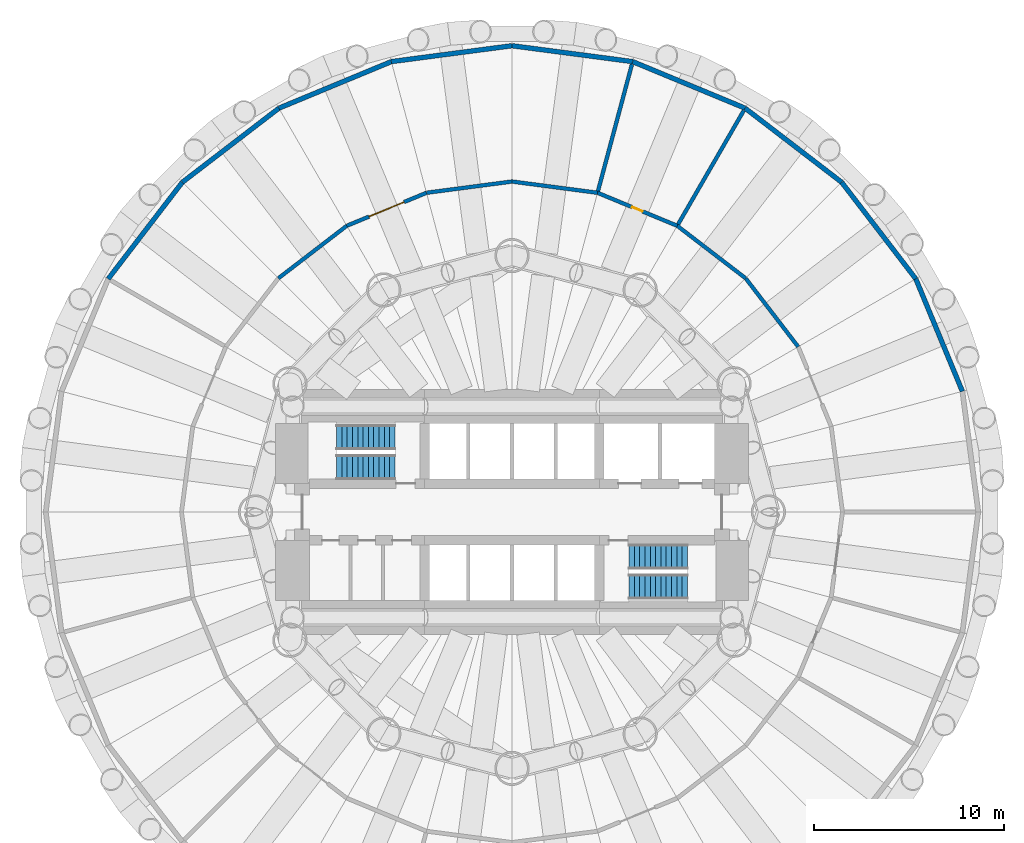
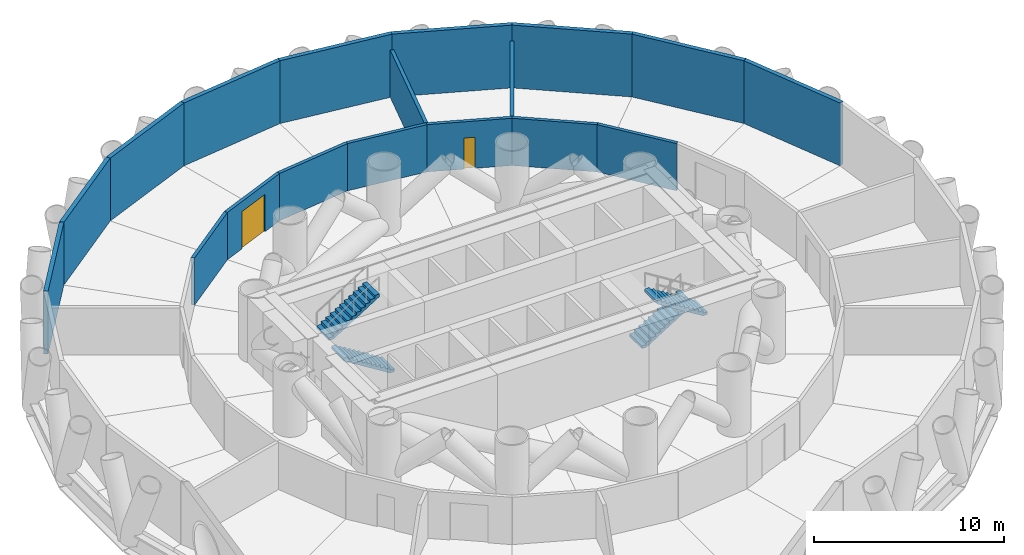
# One storey, part 6 of 7: 18 walls, 4 stair flights, 2 doors, 2 openings, 2 elements without a shape of their own.
"""IFC4 building model written with IfcOpenShell, lengths in metres."""

from ifc_helpers import new_model, si_unit, direction, frame, frame_2d, origin, place, context, subcontext, project, spatial, polyline, rectangle, outline, extrude, material, layer, layer_set, type_object, element, fill, aggregate, save


model = new_model("IFC4")

# Units and contexts
model_context = context("Model", 3, precision=1e-05, world=origin(), true_north=direction((0.0, 1.0)))
body_context = subcontext(model_context, "Body", "Model", "MODEL_VIEW")
ifc_project = project(units=[si_unit("LENGTHUNIT", "METRE"), si_unit("AREAUNIT", "SQUARE_METRE"), si_unit("VOLUMEUNIT", "CUBIC_METRE"), si_unit("PLANEANGLEUNIT", "RADIAN"), si_unit("MASSUNIT", "GRAM", prefix="KILO")], contexts=[model_context])

# Site, building, storey
site_placement = place(None, origin())
site = spatial("IfcSite", under=ifc_project, at=site_placement, CompositionType="ELEMENT")
building_placement = place(site_placement, origin())
building = spatial("IfcBuilding", under=site, at=building_placement, Name="Qaws Media Tower", CompositionType="ELEMENT")
storey_placement = place(building_placement, frame((0.0, 0.0, 101.60009765625)))
storey = spatial("IfcBuildingStorey", under=building, at=storey_placement, Name="L22", CompositionType="ELEMENT", Elevation=101.60009765625)

# Walls
ifc_material_1 = material(Name="Precast concrete louvre panels", Category="concrete")
ifc_layer_1 = layer(ifc_material_1, 0.25)
ifc_layer_set_1 = layer_set([ifc_layer_1], Name="Crown louvre wall 250")
wall_type_1 = type_object("IfcWallType", Name="Crown louvre wall 250", PredefinedType="SOLIDWALL", material=ifc_layer_set_1)
wall_1_placement = place(storey_placement, frame((83.71337890625, 56.35400390625, 0.0), z_axis=(0.0, 0.0, 1.0), x_axis=(-0.382666936286, 0.923886365238, 0.0)))
element("IfcWall", 1, at=wall_1_placement, inside=storey, type_object=wall_type_1, Name="W464 EW3 louvre wall L22-02", PredefinedType="SOLIDWALL", context=body_context, shape_type="SweptSolid", body=[
    extrude(rectangle(XDim=6.40869140625, YDim=0.25, at=frame_2d((3.204345703125, 0.0))), origin(), (0.0, 0.0, 1.0), 4.039794921875),
])
for number, where, z_axis, x_axis, name in (
    (2, (81.260986328125, 62.27490234375, 0.0), (0.0, 0.0, 1.0), (-0.608776969285, 0.793341415576, 0.0), "W462 EW3 louvre wall L22-03"),
    (3, (77.359375, 67.359375, 0.0), (0.0, 0.0, 1.0), (-0.793341415576, 0.608776969285, 0.0), "W460 EW3 louvre wall L22-04"),
):
    element("IfcWall", number, at=place(storey_placement, frame(where, z_axis=z_axis, x_axis=x_axis)), inside=storey, type_object=wall_type_1, Name=name, PredefinedType="SOLIDWALL", context=body_context, shape_type="SweptSolid", body=[
        extrude(rectangle(XDim=6.408935546875, YDim=0.25, at=frame_2d((3.20458984375, 0.0))), origin(), (0.0, 0.0, 1.0), 4.039794921875),
    ])
wall_2_placement = place(storey_placement, frame((72.27490234375, 71.260986328125, 0.0), z_axis=(0.0, 0.0, 1.0), x_axis=(-0.923886365238, 0.382666936286, 0.0)))
element("IfcWall", 4, at=wall_2_placement, inside=storey, type_object=wall_type_1, Name="W458 EW3 louvre wall L22-05", PredefinedType="SOLIDWALL", context=body_context, shape_type="SweptSolid", body=[
    extrude(rectangle(XDim=6.40869140625, YDim=0.25, at=frame_2d((3.204345703125, 0.0))), origin(), (0.0, 0.0, 1.0), 4.039794921875),
])
for number, where, z_axis, x_axis, name in (
    (5, (66.35400390625, 73.71337890625, 0.0), (0.0, 0.0, 1.0), (-0.991441843612, 0.130549112351, 0.0), "W456 EW3 louvre wall L22-06"),
    (6, (60.0, 74.550048828125, 0.0), (0.0, 0.0, 1.0), (-0.991441843612, -0.130549112351, 0.0), "W454 EW3 louvre wall L22-07"),
):
    element("IfcWall", number, at=place(storey_placement, frame(where, z_axis=z_axis, x_axis=x_axis)), inside=storey, type_object=wall_type_1, Name=name, PredefinedType="SOLIDWALL", context=body_context, shape_type="SweptSolid", body=[
        extrude(rectangle(XDim=6.408935546875, YDim=0.25, at=frame_2d((3.20458984375, 0.0))), origin(), (0.0, 0.0, 1.0), 4.039794921875),
    ])
wall_3_placement = place(storey_placement, frame((53.64599609375, 73.71337890625, 0.0), z_axis=(0.0, 0.0, 1.0), x_axis=(-0.923886365238, -0.382666936286, 0.0)))
element("IfcWall", 7, at=wall_3_placement, inside=storey, type_object=wall_type_1, Name="W452 EW3 louvre wall L22-08", PredefinedType="SOLIDWALL", context=body_context, shape_type="SweptSolid", body=[
    extrude(rectangle(XDim=6.40869140625, YDim=0.25, at=frame_2d((3.204345703125, 0.0))), origin(), (0.0, 0.0, 1.0), 4.039794921875),
])
for number, where, z_axis, x_axis, name in (
    (8, (47.72509765625, 71.260986328125, 0.0), (0.0, 0.0, 1.0), (-0.793341415576, -0.608776969285, 0.0), "W450 EW3 louvre wall L22-09"),
    (9, (42.640625, 67.359375, 0.0), (0.0, 0.0, 1.0), (-0.608776969285, -0.793341415576, 0.0), "W448 EW3 louvre wall L22-10"),
):
    element("IfcWall", number, at=place(storey_placement, frame(where, z_axis=z_axis, x_axis=x_axis)), inside=storey, type_object=wall_type_1, Name=name, PredefinedType="SOLIDWALL", context=body_context, shape_type="SweptSolid", body=[
        extrude(rectangle(XDim=6.408935546875, YDim=0.25, at=frame_2d((3.20458984375, 0.0))), origin(), (0.0, 0.0, 1.0), 4.039794921875),
    ])
ifc_material_2 = material(Name="Gypsum board on galvanised metal studs, acoustic double stud, deflection head", Category="gypsum")
ifc_layer_2 = layer(ifc_material_2, 0.199951171875)
ifc_layer_set_2 = layer_set([ifc_layer_2], Name="Room partition 200")
wall_type_2 = type_object("IfcWallType", Name="Room partition 200", PredefinedType="PARTITIONING", material=ifc_layer_set_2)
wall_4_placement = place(storey_placement, frame((47.6962890625, 62.3037109375, 0.0), z_axis=(0.0, 0.0, 1.0), x_axis=(0.793366673958, 0.608744051842, 0.0)))
element("IfcWall", 10, at=wall_4_placement, inside=storey, type_object=wall_type_2, Name="W1177 IW3 partition L22", PredefinedType="PARTITIONING", context=body_context, shape_type="SweptSolid", body=[
    extrude(rectangle(XDim=4.54248046875, YDim=0.199951171875, at=frame_2d((2.271240234375, 0.0))), origin(), (0.0, 0.0, 1.0), 3.039794921875),
])

# Wall, opening, door
wall_5_placement = place(storey_placement, frame((51.300048828125, 65.06884765625, 0.0), z_axis=(0.0, 0.0, 1.0), x_axis=(0.923877953815, 0.382687243654, 0.0)))
wall_5 = element("IfcWall", 11, at=wall_5_placement, inside=storey, type_object=wall_type_2, Name="W1179 IW3 partition L22", PredefinedType="PARTITIONING", context=body_context, shape_type="SweptSolid", body=[
    extrude(rectangle(XDim=4.542236328125, YDim=0.199951171875, at=frame_2d((2.27099609375, 0.0))), origin(), (0.0, 0.0, 1.0), 3.039794921875),
])
opening_1_placement = place(wall_5_placement, frame((1.271240234375, 0.0, 0.0)))
opening_1 = element("IfcOpeningElement", 12, at=opening_1_placement, cuts=wall_5, Name="Opening D19", PredefinedType="OPENING", context=body_context, shape_type="SweptSolid", body=[
    extrude(rectangle(XDim=2.0, YDim=2.39990234375, at=frame_2d((1.0, 1.199951171875))), frame((0.0, 0.10986328125, 0.0), z_axis=(0.0, -1.0, 0.0), x_axis=(1.0, 0.0, 0.0)), (0.0, 0.0, 1.0), 0.219970703125),
])
ifc_material_3 = material(Name="Steel, fire rated, louvred", Category="steel")
door_type_1 = type_object("IfcDoorType", Name="Plant room door pair 2000x2400", OperationType="DOUBLE_DOOR_DOUBLE_SWING", PredefinedType="DOOR", material=ifc_material_3)
door_1_placement = place(opening_1_placement, origin())
door_1 = element("IfcDoor", 13, at=door_1_placement, inside=storey, type_object=door_type_1, Name="D19 Refuge area (north) door L22 in wall W1179", OperationType="DOUBLE_DOOR_DOUBLE_SWING", OverallHeight=2.39990234375, OverallWidth=2.0, PredefinedType="DOOR", context=body_context, shape_type="SweptSolid", body=[
    extrude(rectangle(XDim=2.0, YDim=2.39990234375, at=frame_2d((1.0, 1.199951171875))), frame((0.0, 0.02490234375, 0.0), z_axis=(0.0, -1.0, 0.0), x_axis=(1.0, 0.0, 0.0)), (0.0, 0.0, 1.0), 0.050048828125),
])
fill(opening_1, door_1)

# Walls
for number, where, z_axis, x_axis, name in (
    (14, (55.49658203125, 66.80712890625, 0.0), (0.0, 0.0, 1.0), (0.991448074351, 0.130501784914, 0.0), "W1182 IW3 partition L22"),
    (15, (60.0, 67.39990234375, 0.0), (0.0, 0.0, 1.0), (0.991448074351, -0.130501784914, 0.0), "W1184 IW3 partition L22"),
):
    element("IfcWall", number, at=place(storey_placement, frame(where, z_axis=z_axis, x_axis=x_axis)), inside=storey, type_object=wall_type_2, Name=name, PredefinedType="PARTITIONING", context=body_context, shape_type="SweptSolid", body=[
        extrude(rectangle(XDim=4.542236328125, YDim=0.199951171875, at=frame_2d((2.27099609375, 0.0))), origin(), (0.0, 0.0, 1.0), 3.039794921875),
    ])

# Wall, opening, door
wall_6_placement = place(storey_placement, frame((64.50341796875, 66.80712890625, 0.0), z_axis=(0.0, 0.0, 1.0), x_axis=(0.923877953815, -0.382687243654, 0.0)))
wall_6 = element("IfcWall", 16, at=wall_6_placement, inside=storey, type_object=wall_type_2, Name="W1187 IW3 partition L22", PredefinedType="PARTITIONING", context=body_context, shape_type="SweptSolid", body=[
    extrude(rectangle(XDim=4.542236328125, YDim=0.199951171875, at=frame_2d((2.27099609375, 0.0))), origin(), (0.0, 0.0, 1.0), 3.039794921875),
])
opening_2_placement = place(wall_6_placement, frame((1.97119140625, 0.0, 0.0)))
opening_2 = element("IfcOpeningElement", 17, at=opening_2_placement, cuts=wall_6, Name="Opening D24", PredefinedType="OPENING", context=body_context, shape_type="SweptSolid", body=[
    extrude(rectangle(XDim=0.60009765625, YDim=2.0, at=frame_2d((0.300048828125, 1.0))), frame((0.0, 0.10986328125, 0.0), z_axis=(0.0, -1.0, 0.0), x_axis=(1.0, 0.0, 0.0)), (0.0, 0.0, 1.0), 0.219970703125),
])
ifc_material_4 = material(Name="Steel, fire rated, lockable", Category="steel")
door_type_2 = type_object("IfcDoorType", Name="Riser access door 600x2000", OperationType="SINGLE_SWING_LEFT", PredefinedType="DOOR", material=ifc_material_4)
door_2_placement = place(opening_2_placement, origin())
door_2 = element("IfcDoor", 18, at=door_2_placement, inside=storey, type_object=door_type_2, Name="D24 Riser room door L22 in wall W1187", OperationType="SINGLE_SWING_LEFT", OverallHeight=2.0, OverallWidth=0.60009765625, PredefinedType="DOOR", context=body_context, shape_type="SweptSolid", body=[
    extrude(rectangle(XDim=0.60009765625, YDim=2.0, at=frame_2d((0.300048828125, 1.0))), frame((0.0, 0.02490234375, 0.0), z_axis=(0.0, -1.0, 0.0), x_axis=(1.0, 0.0, 0.0)), (0.0, 0.0, 1.0), 0.050048828125),
])
fill(opening_2, door_2)

# Walls
for number, where, z_axis, x_axis, name in (
    (19, (68.699951171875, 65.06884765625, 0.0), (0.0, 0.0, 1.0), (0.793366673958, -0.608744051842, 0.0), "W1190 IW3 partition L22"),
    (20, (72.3037109375, 62.3037109375, 0.0), (0.0, 0.0, 1.0), (0.608744051842, -0.793366673958, 0.0), "W1192 IW3 partition L22"),
):
    element("IfcWall", number, at=place(storey_placement, frame(where, z_axis=z_axis, x_axis=x_axis)), inside=storey, type_object=wall_type_2, Name=name, PredefinedType="PARTITIONING", context=body_context, shape_type="SweptSolid", body=[
        extrude(rectangle(XDim=4.54248046875, YDim=0.199951171875, at=frame_2d((2.271240234375, 0.0))), origin(), (0.0, 0.0, 1.0), 3.039794921875),
    ])
for number, where, z_axis, x_axis, name in (
    (21, (68.699951171875, 65.06884765625, 0.0), (0.0, 0.0, 1.0), (0.499984921984, 0.866034108906, 0.0), "W1189 IW3 partition L22"),
    (22, (64.50341796875, 66.80712890625, 0.0), (0.0, 0.0, 1.0), (0.258812155669, 0.965927672281, 0.0), "W1186 IW3 partition L22"),
):
    element("IfcWall", number, at=place(storey_placement, frame(where, z_axis=z_axis, x_axis=x_axis)), inside=storey, type_object=wall_type_2, Name=name, PredefinedType="PARTITIONING", context=body_context, shape_type="SweptSolid", body=[
        extrude(rectangle(XDim=7.005126953125, YDim=0.199951171875, at=frame_2d((3.50244140625, 0.0))), origin(), (0.0, 0.0, 1.0), 3.039794921875),
    ])

# Stair, stair flights
ifc_material_5 = material(Name="Concrete C40/50", Category="concrete")
stair_type = type_object("IfcStairType", Name="Exit stair", PredefinedType="HALF_TURN_STAIR", material=ifc_material_5)
stair_1_placement = place(storey_placement, origin())
stair_1 = element("IfcStair", 23, at=stair_1_placement, inside=storey, type_object=stair_type, Name="S1 exit stair L22", PredefinedType="HALF_TURN_STAIR")
ifc_material_6 = material(Name="Concrete C40/50", Category="concrete")
stair_flight_type = type_object("IfcStairFlightType", Name="Stair flight 1310", PredefinedType="STRAIGHT", material=ifc_material_6)
stair_flight_1_placement = place(storey_placement, frame((53.840087890625, 52.35498046875, 0.0), z_axis=(0.0, 0.0, 1.0), x_axis=(-1.0, 0.0, 0.0)))
stair_flight_1 = element("IfcStairFlight", 24, at=stair_flight_1_placement, type_object=stair_flight_type, Name="S1 flight 1", NumberOfRisers=12, NumberOfTreads=11, PredefinedType="STRAIGHT", RiserHeight=0.175, TreadLength=0.28, context=body_context, shape_type="SweptSolid", body=[
    extrude(outline(polyline([(0.0, 0.0), (0.0, 0.175048828125), (0.280029296875, 0.175048828125), (0.280029296875, 0.35009765625), (0.56005859375, 0.35009765625), (0.56005859375, 0.52490234375), (0.840087890625, 0.52490234375), (0.840087890625, 0.699951171875), (1.1201171875, 0.699951171875), (1.1201171875, 0.875), (1.39990234375, 0.875), (1.39990234375, 1.050048828125), (1.679931640625, 1.050048828125), (1.679931640625, 1.22509765625), (1.9599609375, 1.22509765625), (1.9599609375, 1.39990234375), (2.239990234375, 1.39990234375), (2.239990234375, 1.574951171875), (2.52001953125, 1.574951171875), (2.52001953125, 1.75), (2.800048828125, 1.75), (2.800048828125, 1.925048828125), (3.080078125, 1.925048828125), (3.080078125, 2.10009765625), (3.080078125, 1.748291015625), (0.28271484375, 0.0), (0.0, 0.0)])), frame((0.0, 0.655029296875, 0.0), z_axis=(0.0, -1.0, 0.0), x_axis=(1.0, 0.0, 0.0)), (0.0, 0.0, 1.0), 1.31005859375),
])
stair_flight_2_placement = place(storey_placement, frame((50.760009765625, 53.945068359375, 2.099853515625), z_axis=(0.0, 0.0, 1.0), x_axis=(1.0, 0.0, 0.0)))
stair_flight_2 = element("IfcStairFlight", 25, at=stair_flight_2_placement, type_object=stair_flight_type, Name="S1 flight 2", NumberOfRisers=12, NumberOfTreads=11, PredefinedType="STRAIGHT", RiserHeight=0.175, TreadLength=0.28, context=body_context, shape_type="SweptSolid", body=[
    extrude(outline(polyline([(0.0, 0.0), (0.0, 0.175048828125), (0.280029296875, 0.175048828125), (0.280029296875, 0.35009765625), (0.56005859375, 0.35009765625), (0.56005859375, 0.52490234375), (0.840087890625, 0.52490234375), (0.840087890625, 0.699951171875), (1.1201171875, 0.699951171875), (1.1201171875, 0.875), (1.39990234375, 0.875), (1.39990234375, 1.050048828125), (1.679931640625, 1.050048828125), (1.679931640625, 1.22509765625), (1.9599609375, 1.22509765625), (1.9599609375, 1.39990234375), (2.239990234375, 1.39990234375), (2.239990234375, 1.574951171875), (2.52001953125, 1.574951171875), (2.52001953125, 1.75), (2.800048828125, 1.75), (2.800048828125, 1.925048828125), (3.080078125, 1.925048828125), (3.080078125, 2.10009765625), (3.080078125, 1.748291015625), (0.28271484375, 0.0), (0.0, 0.0)])), frame((0.0, 0.655029296875, 0.0), z_axis=(0.0, -1.0, 0.0), x_axis=(1.0, 0.0, 0.0)), (0.0, 0.0, 1.0), 1.31005859375),
])
aggregate(stair_1, [stair_flight_1, stair_flight_2])

stair_2_placement = place(storey_placement, origin())
stair_2 = element("IfcStair", 26, at=stair_2_placement, inside=storey, type_object=stair_type, Name="S2 exit stair L22", PredefinedType="HALF_TURN_STAIR")
stair_flight_3_placement = place(storey_placement, frame((66.159912109375, 47.64501953125, 0.0), z_axis=(0.0, 0.0, 1.0), x_axis=(1.0, 0.0, 0.0)))
stair_flight_3 = element("IfcStairFlight", 27, at=stair_flight_3_placement, type_object=stair_flight_type, Name="S2 flight 1", NumberOfRisers=12, NumberOfTreads=11, PredefinedType="STRAIGHT", RiserHeight=0.175, TreadLength=0.28, context=body_context, shape_type="SweptSolid", body=[
    extrude(outline(polyline([(0.0, 0.0), (0.0, 0.175048828125), (0.280029296875, 0.175048828125), (0.280029296875, 0.35009765625), (0.56005859375, 0.35009765625), (0.56005859375, 0.52490234375), (0.840087890625, 0.52490234375), (0.840087890625, 0.699951171875), (1.1201171875, 0.699951171875), (1.1201171875, 0.875), (1.39990234375, 0.875), (1.39990234375, 1.050048828125), (1.679931640625, 1.050048828125), (1.679931640625, 1.22509765625), (1.9599609375, 1.22509765625), (1.9599609375, 1.39990234375), (2.239990234375, 1.39990234375), (2.239990234375, 1.574951171875), (2.52001953125, 1.574951171875), (2.52001953125, 1.75), (2.800048828125, 1.75), (2.800048828125, 1.925048828125), (3.080078125, 1.925048828125), (3.080078125, 2.10009765625), (3.080078125, 1.748291015625), (0.28271484375, 0.0), (0.0, 0.0)])), frame((0.0, 0.655029296875, 0.0), z_axis=(0.0, -1.0, 0.0), x_axis=(1.0, 0.0, 0.0)), (0.0, 0.0, 1.0), 1.31005859375),
])
stair_flight_4_placement = place(storey_placement, frame((69.239990234375, 46.054931640625, 2.099853515625), z_axis=(0.0, 0.0, 1.0), x_axis=(-1.0, 0.0, 0.0)))
stair_flight_4 = element("IfcStairFlight", 28, at=stair_flight_4_placement, type_object=stair_flight_type, Name="S2 flight 2", NumberOfRisers=12, NumberOfTreads=11, PredefinedType="STRAIGHT", RiserHeight=0.175, TreadLength=0.28, context=body_context, shape_type="SweptSolid", body=[
    extrude(outline(polyline([(0.0, 0.0), (0.0, 0.175048828125), (0.280029296875, 0.175048828125), (0.280029296875, 0.35009765625), (0.56005859375, 0.35009765625), (0.56005859375, 0.52490234375), (0.840087890625, 0.52490234375), (0.840087890625, 0.699951171875), (1.1201171875, 0.699951171875), (1.1201171875, 0.875), (1.39990234375, 0.875), (1.39990234375, 1.050048828125), (1.679931640625, 1.050048828125), (1.679931640625, 1.22509765625), (1.9599609375, 1.22509765625), (1.9599609375, 1.39990234375), (2.239990234375, 1.39990234375), (2.239990234375, 1.574951171875), (2.52001953125, 1.574951171875), (2.52001953125, 1.75), (2.800048828125, 1.75), (2.800048828125, 1.925048828125), (3.080078125, 1.925048828125), (3.080078125, 2.10009765625), (3.080078125, 1.748291015625), (0.28271484375, 0.0), (0.0, 0.0)])), frame((0.0, 0.655029296875, 0.0), z_axis=(0.0, -1.0, 0.0), x_axis=(1.0, 0.0, 0.0)), (0.0, 0.0, 1.0), 1.31005859375),
])
aggregate(stair_2, [stair_flight_3, stair_flight_4])

save(model, "model.ifc")
